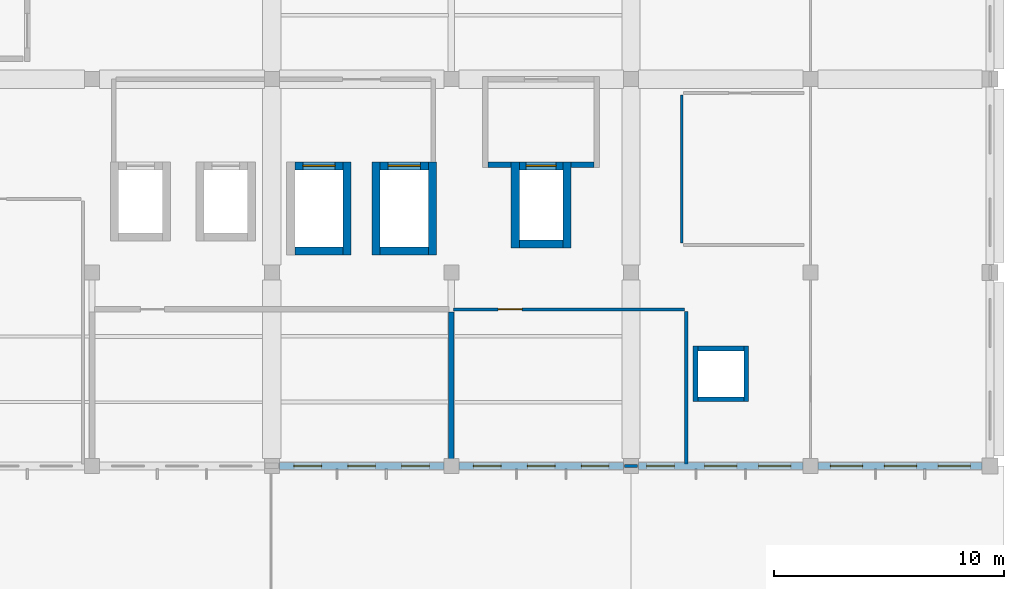
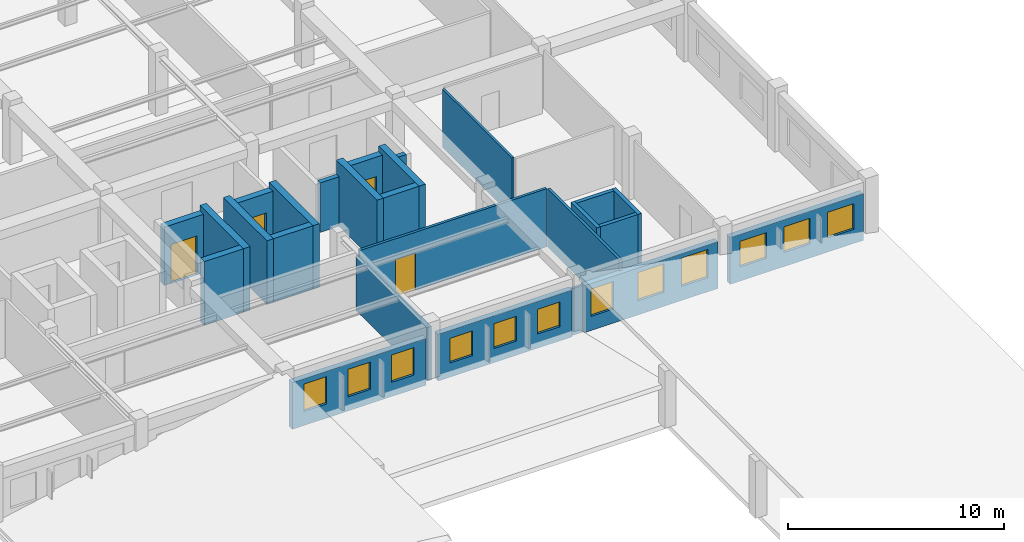
# One storey, part 41 of 49: 26 walls, 12 windows, 4 doors, 16 openings.
"""IFC4 building model written with IfcOpenShell, lengths in metres."""

from ifc_helpers import new_model, si_unit, direction, frame, frame_2d, origin, place, context, subcontext, project, spatial, rectangle, extrude, material, layer, layer_set, type_object, element, fill, save


model = new_model("IFC4")

# Units and contexts
model_context = context("Model", 3, precision=1e-05, world=origin(), true_north=direction((0.0, 1.0)))
body_context = subcontext(model_context, "Body", "Model", "MODEL_VIEW")
ifc_project = project(units=[si_unit("LENGTHUNIT", "METRE"), si_unit("AREAUNIT", "SQUARE_METRE"), si_unit("VOLUMEUNIT", "CUBIC_METRE"), si_unit("PLANEANGLEUNIT", "RADIAN"), si_unit("MASSUNIT", "GRAM", prefix="KILO"), si_unit("THERMODYNAMICTEMPERATUREUNIT", "KELVIN"), si_unit("POWERUNIT", "WATT")], contexts=[model_context])

# Site, building, storey
site_placement = place(None, origin())
site = spatial("IfcSite", under=ifc_project, at=site_placement, CompositionType="ELEMENT")
building_placement = place(site_placement, origin())
building = spatial("IfcBuilding", under=site, at=building_placement, Name="Srebrne Nadtorze General Hospital", CompositionType="ELEMENT")
storey_placement = place(building_placement, frame((0.0, 0.0, 26.10009765625)))
storey = spatial("IfcBuildingStorey", under=building, at=storey_placement, Name="L06", CompositionType="ELEMENT", Elevation=26.10009765625)

# Wall, opening, door
ifc_material_1 = material(Name="Gypsum Healthcare Partition")
ifc_layer_1 = layer(ifc_material_1, 0.139892578125)
ifc_layer_set_1 = layer_set([ifc_layer_1], Name="Gypsum Healthcare Partition")
wall_type_1 = type_object("IfcWallType", Name="Clinical partition 140", PredefinedType="PARTITIONING", material=ifc_layer_set_1)
wall_1_placement = place(storey_placement, frame((124.885009765625, 40.39990234375, 0.0), z_axis=(0.0, 0.0, 1.0), x_axis=(1.0, 0.0, 0.0)))
wall_1 = element("IfcWall", 1, at=wall_1_placement, inside=storey, type_object=wall_type_1, Name="Prosthetics and Orthotics Fitting Clinic wall WL-INT-L06-2234", PredefinedType="PARTITIONING", context=body_context, shape_type="SweptSolid", body=[
    extrude(rectangle(XDim=10.030029296875, YDim=0.139892578125, at=frame_2d((5.01513671875, 0.0))), origin(), (0.0, 0.0, 1.0), 3.27978515625),
])
opening_1_placement = place(wall_1_placement, frame((1.93994140625, 0.0, 0.0)))
opening_1 = element("IfcOpeningElement", 2, at=opening_1_placement, cuts=wall_1, Name="Opening D-L06-0485", PredefinedType="OPENING", context=body_context, shape_type="SweptSolid", body=[
    extrude(rectangle(XDim=1.050048828125, YDim=2.10009765625, at=frame_2d((0.52490234375, 1.050048828125))), frame((0.0, 0.08203125, 0.0), z_axis=(0.0, -1.0, 0.0), x_axis=(1.0, 0.0, 0.0)), (0.0, 0.0, 1.0), 0.163818359375),
])
ifc_material_2 = material(Name="Anodised Aluminium", Category="aluminium")
door_type_1 = type_object("IfcDoorType", Name="Single leaf door 1050x2100", OperationType="NOTDEFINED", PredefinedType="DOOR", material=ifc_material_2)
door_1_placement = place(opening_1_placement, frame((1.050048828125, 0.0, 0.0), z_axis=(0.0, 0.0, 1.0), x_axis=(-1.0, 0.0, 0.0)))
door_1 = element("IfcDoor", 3, at=door_1_placement, inside=storey, type_object=door_type_1, Name="Prosthetics and Orthotics Fitting Clinic door D-L06-0485", OperationType="SINGLE_SWING_RIGHT", OverallHeight=2.10009765625, OverallWidth=1.050048828125, PredefinedType="DOOR", context=body_context, shape_type="SweptSolid", body=[
    extrude(rectangle(XDim=1.050048828125, YDim=2.10009765625, at=frame_2d((0.52490234375, 1.050048828125))), frame((0.0, 0.02490234375, 0.0), z_axis=(0.0, -1.0, 0.0), x_axis=(1.0, 0.0, 0.0)), (0.0, 0.0, 1.0), 0.050048828125),
])
fill(opening_1, door_1)

# Walls
wall_2_placement = place(storey_placement, frame((132.31494140625, 33.60009765625, 0.0), z_axis=(0.0, 0.0, 1.0), x_axis=(1.0, 0.0, 0.0)))
element("IfcWall", 4, at=wall_2_placement, inside=storey, type_object=wall_type_1, Name="Prosthetics and Orthotics Fitting Clinic wall WL-INT-L06-2235", PredefinedType="PARTITIONING", context=body_context, shape_type="SweptSolid", body=[
    extrude(rectangle(XDim=0.570068359375, YDim=0.139892578125, at=frame_2d((0.28515625, 0.0))), origin(), (0.0, 0.0, 1.0), 2.64990234375),
])
wall_3_placement = place(storey_placement, frame((135.0, 33.68505859375, 0.0), z_axis=(0.0, 0.0, 1.0), x_axis=(0.0, 1.0, 0.0)))
element("IfcWall", 5, at=wall_3_placement, inside=storey, type_object=wall_type_1, Name="Prosthetics and Orthotics Fitting Clinic wall WL-INT-L06-2236", PredefinedType="PARTITIONING", context=body_context, shape_type="SweptSolid", body=[
    extrude(rectangle(XDim=6.6298828125, YDim=0.139892578125, at=frame_2d((3.31494140625, 0.0))), origin(), (0.0, 0.0, 1.0), 3.27978515625),
])
ifc_material_3 = material(Name="Gypsum Healthcare Partition")
ifc_layer_2 = layer(ifc_material_3, 0.199951171875)
ifc_layer_set_2 = layer_set([ifc_layer_2], Name="Gypsum Healthcare Partition")
wall_type_2 = type_object("IfcWallType", Name="Compartment wall 200", PredefinedType="STANDARD", material=ifc_layer_set_2)
for number, where, z_axis, x_axis, name in (
    (6, (135.39990234375, 36.39990234375, 0.0), (0.0, 0.0, 1.0), (0.0, 1.0, 0.0), "MEP riser wall WL-INT-L06-1142"),
    (7, (137.60009765625, 36.39990234375, 0.0), (0.0, 0.0, 1.0), (0.0, 1.0, 0.0), "MEP riser wall WL-INT-L06-1143"),
):
    element("IfcWall", number, at=place(storey_placement, frame(where, z_axis=z_axis, x_axis=x_axis)), inside=storey, type_object=wall_type_2, Name=name, PredefinedType="STANDARD", context=body_context, shape_type="SweptSolid", body=[
        extrude(rectangle(XDim=2.400146484375, YDim=0.199951171875, at=frame_2d((1.2001953125, 0.0))), origin(), (0.0, 0.0, 1.0), 3.2998046875),
    ])
for number, where, z_axis, x_axis, name in (
    (8, (135.5, 36.5, 0.0), (0.0, 0.0, 1.0), (1.0, 0.0, 0.0), "MEP riser wall WL-INT-L06-1144"),
    (9, (135.5, 38.699951171875, 0.0), (0.0, 0.0, 1.0), (1.0, 0.0, 0.0), "MEP riser wall WL-INT-L06-1145"),
):
    element("IfcWall", number, at=place(storey_placement, frame(where, z_axis=z_axis, x_axis=x_axis)), inside=storey, type_object=wall_type_2, Name=name, PredefinedType="STANDARD", context=body_context, shape_type="SweptSolid", body=[
        extrude(rectangle(XDim=2.0, YDim=0.199951171875, at=frame_2d((1.0, 0.0))), origin(), (0.0, 0.0, 1.0), 3.2998046875),
    ])
ifc_material_4 = material(Name="Gypsum Healthcare Partition")
ifc_layer_3 = layer(ifc_material_4, 0.239990234375)
ifc_layer_set_3 = layer_set([ifc_layer_3], Name="Gypsum Healthcare Partition")
wall_type_3 = type_object("IfcWallType", Name="Corridor fire wall 240", PredefinedType="STANDARD", material=ifc_layer_set_3)
for number, where, z_axis, x_axis, name in (
    (10, (126.39990234375, 46.68994140625, 0.0), (0.0, 0.0, 1.0), (1.0, 0.0, 0.0), "FF lift lobby return wall WL-INT-L06-1132"),
    (11, (130.0, 46.68994140625, 0.0), (0.0, 0.0, 1.0), (1.0, 0.0, 0.0), "FF lift lobby return wall WL-INT-L06-1133"),
):
    element("IfcWall", number, at=place(storey_placement, frame(where, z_axis=z_axis, x_axis=x_axis)), inside=storey, type_object=wall_type_3, Name=name, PredefinedType="STANDARD", context=body_context, shape_type="SweptSolid", body=[
        extrude(rectangle(XDim=1.0, YDim=0.239990234375, at=frame_2d((0.5, 0.0))), origin(), (0.0, 0.0, 1.0), 2.7998046875),
    ])
wall_4_placement = place(storey_placement, frame((124.800048828125, 33.7099609375, 0.0), z_axis=(0.0, 0.0, 1.0), x_axis=(0.0, 1.0, 0.0)))
element("IfcWall", 12, at=wall_4_placement, inside=storey, type_object=wall_type_3, Name="East Ward Interstitial Plant Room wall WL-INT-L06-2233", PredefinedType="STANDARD", context=body_context, shape_type="SweptSolid", body=[
    extrude(rectangle(XDim=6.580078125, YDim=0.239990234375, at=frame_2d((3.2900390625, 0.0))), origin(), (0.0, 0.0, 1.0), 3.02001953125),
])
ifc_material_5 = material(Name="Gypsum Healthcare Partition")
ifc_layer_4 = layer(ifc_material_5, 0.1201171875)
ifc_layer_set_4 = layer_set([ifc_layer_4], Name="Gypsum Healthcare Partition")
wall_type_4 = type_object("IfcWallType", Name="En-suite partition 120", PredefinedType="PARTITIONING", material=ifc_layer_set_4)
wall_5_placement = place(storey_placement, frame((134.800048828125, 43.284912109375, 0.0), z_axis=(0.0, 0.0, 1.0), x_axis=(0.0, 1.0, 0.0)))
element("IfcWall", 13, at=wall_5_placement, inside=storey, type_object=wall_type_4, Name="Accessible WC wall WL-INT-L06-2244", PredefinedType="PARTITIONING", context=body_context, shape_type="SweptSolid", body=[
    extrude(rectangle(XDim=6.43017578125, YDim=0.1201171875, at=frame_2d((3.215087890625, 0.0))), origin(), (0.0, 0.0, 1.0), 3.27978515625),
])

# Wall, openings, windows
ifc_material_6 = material(Name="Concrete C40/50 precast", Category="concrete")
ifc_layer_5 = layer(ifc_material_6, 0.300048828125)
ifc_layer_set_5 = layer_set([ifc_layer_5], Name="Concrete C40/50 precast")
wall_type_5 = type_object("IfcWallType", Name="Limestone precast wall 300", PredefinedType="STANDARD", material=ifc_layer_set_5)
wall_6_placement = place(storey_placement, frame((117.324951171875, 33.60009765625, 0.0), z_axis=(0.0, 0.0, 1.0), x_axis=(1.0, 0.0, 0.0)))
wall_6 = element("IfcWall", 14, at=wall_6_placement, inside=storey, type_object=wall_type_5, Name="Exterior wall WL-ENV-L06-0466", PredefinedType="STANDARD", context=body_context, shape_type="SweptSolid", body=[
    extrude(rectangle(XDim=7.150146484375, YDim=0.300048828125, at=frame_2d((3.5751953125, 0.0))), origin(), (0.0, 0.0, 1.0), 2.64990234375),
])
opening_2_placement = place(wall_6_placement, frame((0.635009765625, 0.0, 0.800048828125)))
opening_2 = element("IfcOpeningElement", 15, at=opening_2_placement, cuts=wall_6, Name="Opening WN-L06-0767", PredefinedType="OPENING", context=body_context, shape_type="SweptSolid", body=[
    extrude(rectangle(XDim=1.199951171875, YDim=1.550048828125, at=frame_2d((0.60009765625, 0.77490234375))), frame((0.0, 0.162109375, 0.0), z_axis=(0.0, -1.0, 0.0), x_axis=(1.0, 0.0, 0.0)), (0.0, 0.0, 1.0), 0.323974609375),
])
opening_3_placement = place(wall_6_placement, frame((2.97509765625, 0.0, 0.800048828125)))
opening_3 = element("IfcOpeningElement", 16, at=opening_3_placement, cuts=wall_6, Name="Opening WN-L06-0768", PredefinedType="OPENING", context=body_context, shape_type="SweptSolid", body=[
    extrude(rectangle(XDim=1.199951171875, YDim=1.550048828125, at=frame_2d((0.60009765625, 0.77490234375))), frame((0.0, 0.162109375, 0.0), z_axis=(0.0, -1.0, 0.0), x_axis=(1.0, 0.0, 0.0)), (0.0, 0.0, 1.0), 0.323974609375),
])
opening_4_placement = place(wall_6_placement, frame((5.31494140625, 0.0, 0.800048828125)))
opening_4 = element("IfcOpeningElement", 17, at=opening_4_placement, cuts=wall_6, Name="Opening WN-L06-0769", PredefinedType="OPENING", context=body_context, shape_type="SweptSolid", body=[
    extrude(rectangle(XDim=1.199951171875, YDim=1.550048828125, at=frame_2d((0.60009765625, 0.77490234375))), frame((0.0, 0.162109375, 0.0), z_axis=(0.0, -1.0, 0.0), x_axis=(1.0, 0.0, 0.0)), (0.0, 0.0, 1.0), 0.323974609375),
])
ifc_material_7 = material(Name="Triple Low-E Glazing", Category="glass")
window_type_1 = type_object("IfcWindowType", Name="Punched clinical window 1200x1550", PartitioningType="SINGLE_PANEL", PredefinedType="WINDOW", material=ifc_material_7)
window_1_placement = place(opening_2_placement, origin())
window_1 = element("IfcWindow", 18, at=window_1_placement, inside=storey, type_object=window_type_1, Name="Clinical window WN-L06-0767", OverallHeight=1.550048828125, OverallWidth=1.199951171875, PartitioningType="SINGLE_PANEL", PredefinedType="WINDOW", context=body_context, shape_type="SweptSolid", body=[
    extrude(rectangle(XDim=1.199951171875, YDim=1.550048828125, at=frame_2d((0.60009765625, 0.77490234375))), frame((0.0, 0.030029296875, 0.0), z_axis=(0.0, -1.0, 0.0), x_axis=(1.0, 0.0, 0.0)), (0.0, 0.0, 1.0), 0.06005859375),
])
fill(opening_2, window_1)
window_2_placement = place(opening_3_placement, origin())
window_2 = element("IfcWindow", 19, at=window_2_placement, inside=storey, type_object=window_type_1, Name="Clinical window WN-L06-0768", OverallHeight=1.550048828125, OverallWidth=1.199951171875, PartitioningType="SINGLE_PANEL", PredefinedType="WINDOW", context=body_context, shape_type="SweptSolid", body=[
    extrude(rectangle(XDim=1.199951171875, YDim=1.550048828125, at=frame_2d((0.60009765625, 0.77490234375))), frame((0.0, 0.030029296875, 0.0), z_axis=(0.0, -1.0, 0.0), x_axis=(1.0, 0.0, 0.0)), (0.0, 0.0, 1.0), 0.06005859375),
])
fill(opening_3, window_2)
window_3_placement = place(opening_4_placement, origin())
window_3 = element("IfcWindow", 20, at=window_3_placement, inside=storey, type_object=window_type_1, Name="Clinical window WN-L06-0769", OverallHeight=1.550048828125, OverallWidth=1.199951171875, PartitioningType="SINGLE_PANEL", PredefinedType="WINDOW", context=body_context, shape_type="SweptSolid", body=[
    extrude(rectangle(XDim=1.199951171875, YDim=1.550048828125, at=frame_2d((0.60009765625, 0.77490234375))), frame((0.0, 0.030029296875, 0.0), z_axis=(0.0, -1.0, 0.0), x_axis=(1.0, 0.0, 0.0)), (0.0, 0.0, 1.0), 0.06005859375),
])
fill(opening_4, window_3)

wall_7_placement = place(storey_placement, frame((125.125, 33.60009765625, 0.0), z_axis=(0.0, 0.0, 1.0), x_axis=(1.0, 0.0, 0.0)))
wall_7 = element("IfcWall", 21, at=wall_7_placement, inside=storey, type_object=wall_type_5, Name="Exterior wall WL-ENV-L06-0467", PredefinedType="STANDARD", context=body_context, shape_type="SweptSolid", body=[
    extrude(rectangle(XDim=7.14990234375, YDim=0.300048828125, at=frame_2d((3.574951171875, 0.0))), origin(), (0.0, 0.0, 1.0), 2.64990234375),
])
opening_5_placement = place(wall_7_placement, frame((0.635009765625, 0.0, 0.800048828125)))
opening_5 = element("IfcOpeningElement", 22, at=opening_5_placement, cuts=wall_7, Name="Opening WN-L06-0770", PredefinedType="OPENING", context=body_context, shape_type="SweptSolid", body=[
    extrude(rectangle(XDim=1.199951171875, YDim=1.39990234375, at=frame_2d((0.60009765625, 0.699951171875))), frame((0.0, 0.162109375, 0.0), z_axis=(0.0, -1.0, 0.0), x_axis=(1.0, 0.0, 0.0)), (0.0, 0.0, 1.0), 0.323974609375),
])
opening_6_placement = place(wall_7_placement, frame((2.97509765625, 0.0, 0.800048828125)))
opening_6 = element("IfcOpeningElement", 23, at=opening_6_placement, cuts=wall_7, Name="Opening WN-L06-0771", PredefinedType="OPENING", context=body_context, shape_type="SweptSolid", body=[
    extrude(rectangle(XDim=1.199951171875, YDim=1.39990234375, at=frame_2d((0.60009765625, 0.699951171875))), frame((0.0, 0.162109375, 0.0), z_axis=(0.0, -1.0, 0.0), x_axis=(1.0, 0.0, 0.0)), (0.0, 0.0, 1.0), 0.323974609375),
])
opening_7_placement = place(wall_7_placement, frame((5.31494140625, 0.0, 0.800048828125)))
opening_7 = element("IfcOpeningElement", 24, at=opening_7_placement, cuts=wall_7, Name="Opening WN-L06-0772", PredefinedType="OPENING", context=body_context, shape_type="SweptSolid", body=[
    extrude(rectangle(XDim=1.199951171875, YDim=1.39990234375, at=frame_2d((0.60009765625, 0.699951171875))), frame((0.0, 0.162109375, 0.0), z_axis=(0.0, -1.0, 0.0), x_axis=(1.0, 0.0, 0.0)), (0.0, 0.0, 1.0), 0.323974609375),
])
ifc_material_8 = material(Name="Triple Low-E Glazing", Category="glass")
window_type_2 = type_object("IfcWindowType", Name="Punched clinical window 1200x1400", PartitioningType="SINGLE_PANEL", PredefinedType="WINDOW", material=ifc_material_8)
window_4_placement = place(opening_5_placement, origin())
window_4 = element("IfcWindow", 25, at=window_4_placement, inside=storey, type_object=window_type_2, Name="Clinical window WN-L06-0770", OverallHeight=1.39990234375, OverallWidth=1.199951171875, PartitioningType="SINGLE_PANEL", PredefinedType="WINDOW", context=body_context, shape_type="SweptSolid", body=[
    extrude(rectangle(XDim=1.199951171875, YDim=1.39990234375, at=frame_2d((0.60009765625, 0.699951171875))), frame((0.0, 0.030029296875, 0.0), z_axis=(0.0, -1.0, 0.0), x_axis=(1.0, 0.0, 0.0)), (0.0, 0.0, 1.0), 0.06005859375),
])
fill(opening_5, window_4)
window_5_placement = place(opening_6_placement, origin())
window_5 = element("IfcWindow", 26, at=window_5_placement, inside=storey, type_object=window_type_2, Name="Clinical window WN-L06-0771", OverallHeight=1.39990234375, OverallWidth=1.199951171875, PartitioningType="SINGLE_PANEL", PredefinedType="WINDOW", context=body_context, shape_type="SweptSolid", body=[
    extrude(rectangle(XDim=1.199951171875, YDim=1.39990234375, at=frame_2d((0.60009765625, 0.699951171875))), frame((0.0, 0.030029296875, 0.0), z_axis=(0.0, -1.0, 0.0), x_axis=(1.0, 0.0, 0.0)), (0.0, 0.0, 1.0), 0.06005859375),
])
fill(opening_6, window_5)
window_6_placement = place(opening_7_placement, origin())
window_6 = element("IfcWindow", 27, at=window_6_placement, inside=storey, type_object=window_type_2, Name="Clinical window WN-L06-0772", OverallHeight=1.39990234375, OverallWidth=1.199951171875, PartitioningType="SINGLE_PANEL", PredefinedType="WINDOW", context=body_context, shape_type="SweptSolid", body=[
    extrude(rectangle(XDim=1.199951171875, YDim=1.39990234375, at=frame_2d((0.60009765625, 0.699951171875))), frame((0.0, 0.030029296875, 0.0), z_axis=(0.0, -1.0, 0.0), x_axis=(1.0, 0.0, 0.0)), (0.0, 0.0, 1.0), 0.06005859375),
])
fill(opening_7, window_6)

wall_8_placement = place(storey_placement, frame((132.925048828125, 33.60009765625, 0.0), z_axis=(0.0, 0.0, 1.0), x_axis=(1.0, 0.0, 0.0)))
wall_8 = element("IfcWall", 28, at=wall_8_placement, inside=storey, type_object=wall_type_5, Name="Exterior wall WL-ENV-L06-0468", PredefinedType="STANDARD", context=body_context, shape_type="SweptSolid", body=[
    extrude(rectangle(XDim=7.14990234375, YDim=0.300048828125, at=frame_2d((3.574951171875, 0.0))), origin(), (0.0, 0.0, 1.0), 2.64990234375),
])
opening_8_placement = place(wall_8_placement, frame((0.35498046875, 0.0, 0.800048828125)))
opening_8 = element("IfcOpeningElement", 29, at=opening_8_placement, cuts=wall_8, Name="Opening WN-L06-0773", PredefinedType="OPENING", context=body_context, shape_type="SweptSolid", body=[
    extrude(rectangle(XDim=1.199951171875, YDim=1.550048828125, at=frame_2d((0.60009765625, 0.77490234375))), frame((0.0, 0.162109375, 0.0), z_axis=(0.0, -1.0, 0.0), x_axis=(1.0, 0.0, 0.0)), (0.0, 0.0, 1.0), 0.323974609375),
])
opening_9_placement = place(wall_8_placement, frame((2.875, 0.0, 0.800048828125)))
opening_9 = element("IfcOpeningElement", 30, at=opening_9_placement, cuts=wall_8, Name="Opening WN-L06-0774", PredefinedType="OPENING", context=body_context, shape_type="SweptSolid", body=[
    extrude(rectangle(XDim=1.39990234375, YDim=1.60009765625, at=frame_2d((0.699951171875, 0.800048828125))), frame((0.0, 0.162109375, 0.0), z_axis=(0.0, -1.0, 0.0), x_axis=(1.0, 0.0, 0.0)), (0.0, 0.0, 1.0), 0.323974609375),
])
opening_10_placement = place(wall_8_placement, frame((5.215087890625, 0.0, 0.800048828125)))
opening_10 = element("IfcOpeningElement", 31, at=opening_10_placement, cuts=wall_8, Name="Opening WN-L06-0775", PredefinedType="OPENING", context=body_context, shape_type="SweptSolid", body=[
    extrude(rectangle(XDim=1.39990234375, YDim=1.60009765625, at=frame_2d((0.699951171875, 0.800048828125))), frame((0.0, 0.162109375, 0.0), z_axis=(0.0, -1.0, 0.0), x_axis=(1.0, 0.0, 0.0)), (0.0, 0.0, 1.0), 0.323974609375),
])
window_7_placement = place(opening_8_placement, origin())
window_7 = element("IfcWindow", 32, at=window_7_placement, inside=storey, type_object=window_type_1, Name="Clinical window WN-L06-0773", OverallHeight=1.550048828125, OverallWidth=1.199951171875, PartitioningType="SINGLE_PANEL", PredefinedType="WINDOW", context=body_context, shape_type="SweptSolid", body=[
    extrude(rectangle(XDim=1.199951171875, YDim=1.550048828125, at=frame_2d((0.60009765625, 0.77490234375))), frame((0.0, 0.030029296875, 0.0), z_axis=(0.0, -1.0, 0.0), x_axis=(1.0, 0.0, 0.0)), (0.0, 0.0, 1.0), 0.06005859375),
])
fill(opening_8, window_7)
ifc_material_9 = material(Name="Triple Low-E Glazing", Category="glass")
window_type_3 = type_object("IfcWindowType", Name="Punched clinical window 1400x1600", PartitioningType="SINGLE_PANEL", PredefinedType="WINDOW", material=ifc_material_9)
window_8_placement = place(opening_9_placement, origin())
window_8 = element("IfcWindow", 33, at=window_8_placement, inside=storey, type_object=window_type_3, Name="Clinical window WN-L06-0774", OverallHeight=1.60009765625, OverallWidth=1.39990234375, PartitioningType="SINGLE_PANEL", PredefinedType="WINDOW", context=body_context, shape_type="SweptSolid", body=[
    extrude(rectangle(XDim=1.39990234375, YDim=1.60009765625, at=frame_2d((0.699951171875, 0.800048828125))), frame((0.0, 0.030029296875, 0.0), z_axis=(0.0, -1.0, 0.0), x_axis=(1.0, 0.0, 0.0)), (0.0, 0.0, 1.0), 0.06005859375),
])
fill(opening_9, window_8)
window_9_placement = place(opening_10_placement, origin())
window_9 = element("IfcWindow", 34, at=window_9_placement, inside=storey, type_object=window_type_3, Name="Clinical window WN-L06-0775", OverallHeight=1.60009765625, OverallWidth=1.39990234375, PartitioningType="SINGLE_PANEL", PredefinedType="WINDOW", context=body_context, shape_type="SweptSolid", body=[
    extrude(rectangle(XDim=1.39990234375, YDim=1.60009765625, at=frame_2d((0.699951171875, 0.800048828125))), frame((0.0, 0.030029296875, 0.0), z_axis=(0.0, -1.0, 0.0), x_axis=(1.0, 0.0, 0.0)), (0.0, 0.0, 1.0), 0.06005859375),
])
fill(opening_10, window_9)

wall_9_placement = place(storey_placement, frame((140.72509765625, 33.60009765625, 0.0), z_axis=(0.0, 0.0, 1.0), x_axis=(1.0, 0.0, 0.0)))
wall_9 = element("IfcWall", 35, at=wall_9_placement, inside=storey, type_object=wall_type_5, Name="Exterior wall WL-ENV-L06-0469", PredefinedType="STANDARD", context=body_context, shape_type="SweptSolid", body=[
    extrude(rectangle(XDim=7.125, YDim=0.300048828125, at=frame_2d((3.5625, 0.0))), origin(), (0.0, 0.0, 1.0), 2.64990234375),
])
opening_11_placement = place(wall_9_placement, frame((0.534912109375, 0.0, 0.800048828125)))
opening_11 = element("IfcOpeningElement", 36, at=opening_11_placement, cuts=wall_9, Name="Opening WN-L06-0776", PredefinedType="OPENING", context=body_context, shape_type="SweptSolid", body=[
    extrude(rectangle(XDim=1.39990234375, YDim=1.449951171875, at=frame_2d((0.699951171875, 0.72509765625))), frame((0.0, 0.162109375, 0.0), z_axis=(0.0, -1.0, 0.0), x_axis=(1.0, 0.0, 0.0)), (0.0, 0.0, 1.0), 0.323974609375),
])
opening_12_placement = place(wall_9_placement, frame((2.875, 0.0, 0.800048828125)))
opening_12 = element("IfcOpeningElement", 37, at=opening_12_placement, cuts=wall_9, Name="Opening WN-L06-0777", PredefinedType="OPENING", context=body_context, shape_type="SweptSolid", body=[
    extrude(rectangle(XDim=1.39990234375, YDim=1.449951171875, at=frame_2d((0.699951171875, 0.72509765625))), frame((0.0, 0.162109375, 0.0), z_axis=(0.0, -1.0, 0.0), x_axis=(1.0, 0.0, 0.0)), (0.0, 0.0, 1.0), 0.323974609375),
])
opening_13_placement = place(wall_9_placement, frame((5.215087890625, 0.0, 0.800048828125)))
opening_13 = element("IfcOpeningElement", 38, at=opening_13_placement, cuts=wall_9, Name="Opening WN-L06-0778", PredefinedType="OPENING", context=body_context, shape_type="SweptSolid", body=[
    extrude(rectangle(XDim=1.39990234375, YDim=1.449951171875, at=frame_2d((0.699951171875, 0.72509765625))), frame((0.0, 0.162109375, 0.0), z_axis=(0.0, -1.0, 0.0), x_axis=(1.0, 0.0, 0.0)), (0.0, 0.0, 1.0), 0.323974609375),
])
ifc_material_10 = material(Name="Triple Low-E Glazing", Category="glass")
window_type_4 = type_object("IfcWindowType", Name="Punched clinical window 1400x1450", PartitioningType="SINGLE_PANEL", PredefinedType="WINDOW", material=ifc_material_10)
window_10_placement = place(opening_11_placement, origin())
window_10 = element("IfcWindow", 39, at=window_10_placement, inside=storey, type_object=window_type_4, Name="Clinical window WN-L06-0776", OverallHeight=1.449951171875, OverallWidth=1.39990234375, PartitioningType="SINGLE_PANEL", PredefinedType="WINDOW", context=body_context, shape_type="SweptSolid", body=[
    extrude(rectangle(XDim=1.39990234375, YDim=1.449951171875, at=frame_2d((0.699951171875, 0.72509765625))), frame((0.0, 0.030029296875, 0.0), z_axis=(0.0, -1.0, 0.0), x_axis=(1.0, 0.0, 0.0)), (0.0, 0.0, 1.0), 0.06005859375),
])
fill(opening_11, window_10)
window_11_placement = place(opening_12_placement, origin())
window_11 = element("IfcWindow", 40, at=window_11_placement, inside=storey, type_object=window_type_4, Name="Clinical window WN-L06-0777", OverallHeight=1.449951171875, OverallWidth=1.39990234375, PartitioningType="SINGLE_PANEL", PredefinedType="WINDOW", context=body_context, shape_type="SweptSolid", body=[
    extrude(rectangle(XDim=1.39990234375, YDim=1.449951171875, at=frame_2d((0.699951171875, 0.72509765625))), frame((0.0, 0.030029296875, 0.0), z_axis=(0.0, -1.0, 0.0), x_axis=(1.0, 0.0, 0.0)), (0.0, 0.0, 1.0), 0.06005859375),
])
fill(opening_12, window_11)
window_12_placement = place(opening_13_placement, origin())
window_12 = element("IfcWindow", 41, at=window_12_placement, inside=storey, type_object=window_type_4, Name="Clinical window WN-L06-0778", OverallHeight=1.449951171875, OverallWidth=1.39990234375, PartitioningType="SINGLE_PANEL", PredefinedType="WINDOW", context=body_context, shape_type="SweptSolid", body=[
    extrude(rectangle(XDim=1.39990234375, YDim=1.449951171875, at=frame_2d((0.699951171875, 0.72509765625))), frame((0.0, 0.030029296875, 0.0), z_axis=(0.0, -1.0, 0.0), x_axis=(1.0, 0.0, 0.0)), (0.0, 0.0, 1.0), 0.06005859375),
])
fill(opening_13, window_12)

# Walls
ifc_material_11 = material(Name="Concrete C40/50", Category="concrete")
ifc_layer_6 = layer(ifc_material_11, 0.35009765625)
ifc_layer_set_6 = layer_set([ifc_layer_6], Name="Concrete C40/50")
wall_type_6 = type_object("IfcWallType", Name="Shear core wall 350", PredefinedType="SHEAR", material=ifc_layer_set_6)
wall_10_placement = place(storey_placement, frame((120.27490234375, 42.760009765625, 0.0), z_axis=(0.0, 0.0, 1.0), x_axis=(0.0, 1.0, 0.0)))
element("IfcWall", 42, at=wall_10_placement, inside=storey, type_object=wall_type_6, Name="Lift shaft wall LS-03 WL-INT-L06-0791", PredefinedType="SHEAR", context=body_context, shape_type="SweptSolid", body=[
    extrude(rectangle(XDim=4.050048828125, YDim=0.35009765625, at=frame_2d((2.02490234375, 0.0))), origin(), (0.0, 0.0, 1.0), 3.599853515625),
])
wall_11_placement = place(storey_placement, frame((118.0, 42.93505859375, 0.0), z_axis=(0.0, 0.0, 1.0), x_axis=(1.0, 0.0, 0.0)))
element("IfcWall", 43, at=wall_11_placement, inside=storey, type_object=wall_type_6, Name="Lift shaft back wall LS-03 WL-INT-L06-0792", PredefinedType="SHEAR", context=body_context, shape_type="SweptSolid", body=[
    extrude(rectangle(XDim=2.10009765625, YDim=0.35009765625, at=frame_2d((1.050048828125, 0.0))), origin(), (0.0, 0.0, 1.0), 3.599853515625),
])

# Wall, opening, door
wall_12_placement = place(storey_placement, frame((118.0, 46.635009765625, 0.0), z_axis=(0.0, 0.0, 1.0), x_axis=(1.0, 0.0, 0.0)))
wall_12 = element("IfcWall", 44, at=wall_12_placement, inside=storey, type_object=wall_type_6, Name="Lift shaft front wall LS-03 WL-INT-L06-0793", PredefinedType="SHEAR", context=body_context, shape_type="SweptSolid", body=[
    extrude(rectangle(XDim=2.10009765625, YDim=0.35009765625, at=frame_2d((1.050048828125, 0.0))), origin(), (0.0, 0.0, 1.0), 3.2998046875),
])
opening_14_placement = place(wall_12_placement, frame((0.35009765625, 0.0, 0.0)))
opening_14 = element("IfcOpeningElement", 45, at=opening_14_placement, cuts=wall_12, Name="Opening LD-L06-082", PredefinedType="OPENING", context=body_context, shape_type="SweptSolid", body=[
    extrude(rectangle(XDim=1.39990234375, YDim=2.199951171875, at=frame_2d((0.699951171875, 1.10009765625))), frame((0.0, 0.18701171875, 0.0), z_axis=(0.0, -1.0, 0.0), x_axis=(1.0, 0.0, 0.0)), (0.0, 0.0, 1.0), 0.3740234375),
])
ifc_material_12 = material(Name="Anodised Aluminium", Category="aluminium")
door_type_2 = type_object("IfcDoorType", Name="Sliding lift door 1400x2200", OperationType="SLIDING_TO_LEFT", PredefinedType="DOOR", material=ifc_material_12)
door_2_placement = place(opening_14_placement, origin())
door_2 = element("IfcDoor", 46, at=door_2_placement, inside=storey, type_object=door_type_2, Name="Lift Landing Door LD-L06-082", OperationType="SLIDING_TO_LEFT", OverallHeight=2.199951171875, OverallWidth=1.39990234375, PredefinedType="DOOR", context=body_context, shape_type="SweptSolid", body=[
    extrude(rectangle(XDim=1.39990234375, YDim=2.199951171875, at=frame_2d((0.699951171875, 1.10009765625))), frame((0.0, 0.02490234375, 0.0), z_axis=(0.0, -1.0, 0.0), x_axis=(1.0, 0.0, 0.0)), (0.0, 0.0, 1.0), 0.050048828125),
])
fill(opening_14, door_2)

# Walls
for number, where, z_axis, x_axis, name in (
    (47, (121.52490234375, 42.760009765625, 0.0), (0.0, 0.0, 1.0), (0.0, 1.0, 0.0), "Lift shaft wall LS-04 WL-INT-L06-0826"),
    (48, (123.97509765625, 42.760009765625, 0.0), (0.0, 0.0, 1.0), (0.0, 1.0, 0.0), "Lift shaft wall LS-04 WL-INT-L06-0827"),
):
    element("IfcWall", number, at=place(storey_placement, frame(where, z_axis=z_axis, x_axis=x_axis)), inside=storey, type_object=wall_type_6, Name=name, PredefinedType="SHEAR", context=body_context, shape_type="SweptSolid", body=[
        extrude(rectangle(XDim=4.050048828125, YDim=0.35009765625, at=frame_2d((2.02490234375, 0.0))), origin(), (0.0, 0.0, 1.0), 3.599853515625),
    ])
wall_13_placement = place(storey_placement, frame((121.699951171875, 42.93505859375, 0.0), z_axis=(0.0, 0.0, 1.0), x_axis=(1.0, 0.0, 0.0)))
element("IfcWall", 49, at=wall_13_placement, inside=storey, type_object=wall_type_6, Name="Lift shaft back wall LS-04 WL-INT-L06-0828", PredefinedType="SHEAR", context=body_context, shape_type="SweptSolid", body=[
    extrude(rectangle(XDim=2.10009765625, YDim=0.35009765625, at=frame_2d((1.050048828125, 0.0))), origin(), (0.0, 0.0, 1.0), 3.599853515625),
])

# Wall, opening, door
wall_14_placement = place(storey_placement, frame((121.699951171875, 46.635009765625, 0.0), z_axis=(0.0, 0.0, 1.0), x_axis=(1.0, 0.0, 0.0)))
wall_14 = element("IfcWall", 50, at=wall_14_placement, inside=storey, type_object=wall_type_6, Name="Lift shaft front wall LS-04 WL-INT-L06-0829", PredefinedType="SHEAR", context=body_context, shape_type="SweptSolid", body=[
    extrude(rectangle(XDim=2.10009765625, YDim=0.35009765625, at=frame_2d((1.050048828125, 0.0))), origin(), (0.0, 0.0, 1.0), 3.2998046875),
])
opening_15_placement = place(wall_14_placement, frame((0.35009765625, 0.0, 0.0)))
opening_15 = element("IfcOpeningElement", 51, at=opening_15_placement, cuts=wall_14, Name="Opening LD-L06-091", PredefinedType="OPENING", context=body_context, shape_type="SweptSolid", body=[
    extrude(rectangle(XDim=1.39990234375, YDim=2.199951171875, at=frame_2d((0.699951171875, 1.10009765625))), frame((0.0, 0.18701171875, 0.0), z_axis=(0.0, -1.0, 0.0), x_axis=(1.0, 0.0, 0.0)), (0.0, 0.0, 1.0), 0.3740234375),
])
door_3_placement = place(opening_15_placement, origin())
door_3 = element("IfcDoor", 52, at=door_3_placement, inside=storey, type_object=door_type_2, Name="Lift Landing Door LD-L06-091", OperationType="SLIDING_TO_LEFT", OverallHeight=2.199951171875, OverallWidth=1.39990234375, PredefinedType="DOOR", context=body_context, shape_type="SweptSolid", body=[
    extrude(rectangle(XDim=1.39990234375, YDim=2.199951171875, at=frame_2d((0.699951171875, 1.10009765625))), frame((0.0, 0.02490234375, 0.0), z_axis=(0.0, -1.0, 0.0), x_axis=(1.0, 0.0, 0.0)), (0.0, 0.0, 1.0), 0.050048828125),
])
fill(opening_15, door_3)

# Walls
for number, where, z_axis, x_axis, name in (
    (53, (127.574951171875, 43.06005859375, 0.0), (0.0, 0.0, 1.0), (0.0, 1.0, 0.0), "Lift shaft wall FL-03 WL-INT-L06-0862"),
    (54, (129.824951171875, 43.06005859375, 0.0), (0.0, 0.0, 1.0), (0.0, 1.0, 0.0), "Lift shaft wall FL-03 WL-INT-L06-0863"),
):
    element("IfcWall", number, at=place(storey_placement, frame(where, z_axis=z_axis, x_axis=x_axis)), inside=storey, type_object=wall_type_6, Name=name, PredefinedType="SHEAR", context=body_context, shape_type="SweptSolid", body=[
        extrude(rectangle(XDim=3.75, YDim=0.35009765625, at=frame_2d((1.875, 0.0))), origin(), (0.0, 0.0, 1.0), 3.599853515625),
    ])
wall_15_placement = place(storey_placement, frame((127.75, 43.235107421875, 0.0), z_axis=(0.0, 0.0, 1.0), x_axis=(1.0, 0.0, 0.0)))
element("IfcWall", 55, at=wall_15_placement, inside=storey, type_object=wall_type_6, Name="Lift shaft back wall FL-03 WL-INT-L06-0864", PredefinedType="SHEAR", context=body_context, shape_type="SweptSolid", body=[
    extrude(rectangle(XDim=1.89990234375, YDim=0.35009765625, at=frame_2d((0.949951171875, 0.0))), origin(), (0.0, 0.0, 1.0), 3.599853515625),
])

# Wall, opening, door
wall_16_placement = place(storey_placement, frame((127.75, 46.635009765625, 0.0), z_axis=(0.0, 0.0, 1.0), x_axis=(1.0, 0.0, 0.0)))
wall_16 = element("IfcWall", 56, at=wall_16_placement, inside=storey, type_object=wall_type_6, Name="Lift shaft front wall FL-03 WL-INT-L06-0865", PredefinedType="SHEAR", context=body_context, shape_type="SweptSolid", body=[
    extrude(rectangle(XDim=1.89990234375, YDim=0.35009765625, at=frame_2d((0.949951171875, 0.0))), origin(), (0.0, 0.0, 1.0), 3.2998046875),
])
opening_16_placement = place(wall_16_placement, frame((0.300048828125, 0.0, 0.0)))
opening_16 = element("IfcOpeningElement", 57, at=opening_16_placement, cuts=wall_16, Name="Opening LD-L06-100", PredefinedType="OPENING", context=body_context, shape_type="SweptSolid", body=[
    extrude(rectangle(XDim=1.300048828125, YDim=2.199951171875, at=frame_2d((0.64990234375, 1.10009765625))), frame((0.0, 0.18701171875, 0.0), z_axis=(0.0, -1.0, 0.0), x_axis=(1.0, 0.0, 0.0)), (0.0, 0.0, 1.0), 0.3740234375),
])
ifc_material_13 = material(Name="Anodised Aluminium", Category="aluminium")
door_type_3 = type_object("IfcDoorType", Name="Sliding lift door 1300x2200", OperationType="SLIDING_TO_LEFT", PredefinedType="DOOR", material=ifc_material_13)
door_4_placement = place(opening_16_placement, origin())
door_4 = element("IfcDoor", 58, at=door_4_placement, inside=storey, type_object=door_type_3, Name="Lift Landing Door LD-L06-100", OperationType="SLIDING_TO_LEFT", OverallHeight=2.199951171875, OverallWidth=1.300048828125, PredefinedType="DOOR", context=body_context, shape_type="SweptSolid", body=[
    extrude(rectangle(XDim=1.300048828125, YDim=2.199951171875, at=frame_2d((0.64990234375, 1.10009765625))), frame((0.0, 0.02490234375, 0.0), z_axis=(0.0, -1.0, 0.0), x_axis=(1.0, 0.0, 0.0)), (0.0, 0.0, 1.0), 0.050048828125),
])
fill(opening_16, door_4)

save(model, "model.ifc")
